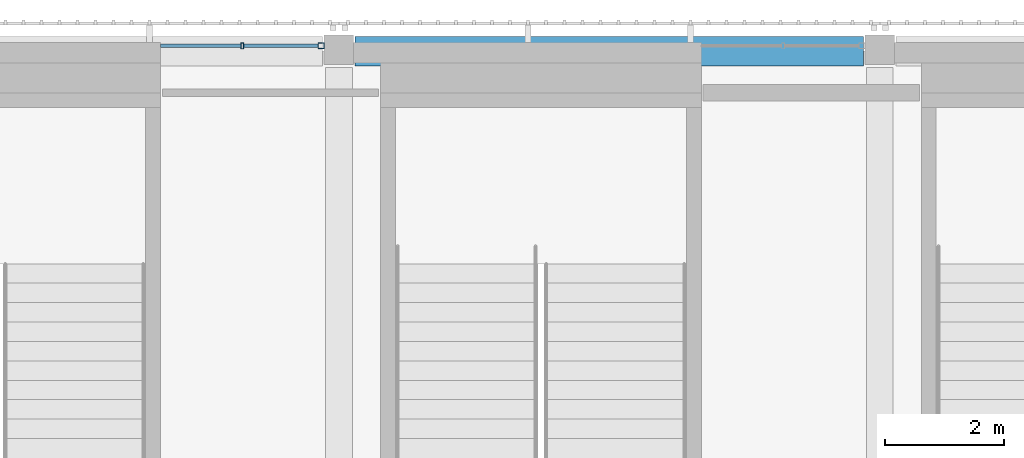
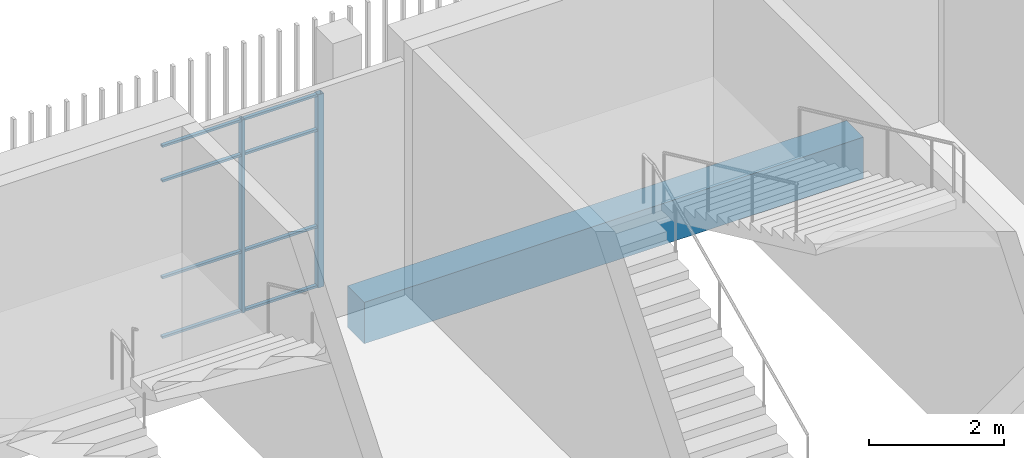
# One storey, part 21 of 104: 10 members, 1 beam, 1 element without a shape of its own.
"""IFC4 building model written with IfcOpenShell, lengths in metres."""

from ifc_helpers import new_model, si_unit, direction, frame, origin, origin_2d, place, context, subcontext, project, spatial, rectangle, hollow_rectangle, extrude, material, layer, layer_set, material_profile, profile_set, type_object, element, aggregate, save


model = new_model("IFC4")

# Units and contexts
model_context = context("Model", 3, precision=1e-05, world=origin(), true_north=direction((0.0, 1.0)))
body_context = subcontext(model_context, "Body", "Model", "MODEL_VIEW")
ifc_project = project(units=[si_unit("LENGTHUNIT", "METRE"), si_unit("AREAUNIT", "SQUARE_METRE"), si_unit("VOLUMEUNIT", "CUBIC_METRE"), si_unit("PLANEANGLEUNIT", "RADIAN"), si_unit("MASSUNIT", "GRAM", prefix="KILO")], contexts=[model_context])

# Site, building, storey
site_placement = place(None, origin())
site = spatial("IfcSite", under=ifc_project, at=site_placement, CompositionType="ELEMENT")
building_placement = place(site_placement, origin())
building = spatial("IfcBuilding", under=site, at=building_placement, Name="Shirokan Park Arena", CompositionType="ELEMENT")
storey_placement = place(building_placement, frame((0.0, 0.0, 10.919921875)))
storey = spatial("IfcBuildingStorey", under=building, at=storey_placement, Name="L02", CompositionType="ELEMENT", Elevation=10.919921875)

# Curtain wall, members
ifc_material_1 = material(Name="Steel and glass curtain wall", Category="steel")
ifc_layer = layer(ifc_material_1, 0.1201171875)
ifc_layer_set = layer_set([ifc_layer], Name="Steel and glass curtain wall 120 mm")
curtain_wall_type = type_object("IfcCurtainWallType", Name="Curtain wall corner block side bay 120", PredefinedType="NOTDEFINED", material=ifc_layer_set)
curtain_wall_placement = place(storey_placement, origin())
curtain_wall = element("IfcCurtainWall", 1, at=curtain_wall_placement, inside=storey, type_object=curtain_wall_type, Name="Curtain wall north bay 15 L02", PredefinedType="NOTDEFINED")
ifc_material_2 = material(Name="Steel S355", Category="steel")
ifc_material_profile_1 = material_profile(ifc_material_2, hollow_rectangle(XDim=0.10009765625, YDim=0.10009765625, WallThickness=0.006103515625, at=origin_2d()), Name="RHS 100x100x6")
ifc_profile_set_1 = profile_set([ifc_material_profile_1], Name="Steel S355")
member_type_1 = type_object("IfcMemberType", Name="Mullion RHS 100x100x6", PredefinedType="MULLION", material=ifc_profile_set_1)
member_1_placement = place(storey_placement, frame((17.89990234375, 109.2900390625, 0.0), z_axis=(0.0, 0.0, 1.0), x_axis=(0.0, -1.0, 0.0)))
member_1 = element("IfcMember", 2, at=member_1_placement, type_object=member_type_1, Name="CW3 mullion 1", PredefinedType="MULLION", context=body_context, shape_type="SweptSolid", body=[
    extrude(hollow_rectangle(XDim=0.10009765625, YDim=0.10009765625, WallThickness=0.006103515625, at=origin_2d()), origin(), (0.0, 0.0, 1.0), 3.5),
])
ifc_material_profile_2 = material_profile(ifc_material_2, hollow_rectangle(XDim=0.10009765625, YDim=0.050048828125, WallThickness=0.0048828125, at=origin_2d()), Name="RHS 100x50x5")
ifc_profile_set_2 = profile_set([ifc_material_profile_2], Name="Steel S355")
member_type_2 = type_object("IfcMemberType", Name="Mullion RHS 100x50x5", PredefinedType="MULLION", material=ifc_profile_set_2)
member_2_placement = place(storey_placement, frame((16.574951171875, 109.2900390625, 0.0), z_axis=(0.0, 0.0, 1.0), x_axis=(0.0, -1.0, 0.0)))
member_2 = element("IfcMember", 3, at=member_2_placement, type_object=member_type_2, Name="CW3 mullion 2", PredefinedType="MULLION", context=body_context, shape_type="SweptSolid", body=[
    extrude(hollow_rectangle(XDim=0.10009765625, YDim=0.050048828125, WallThickness=0.0048828125, at=origin_2d()), origin(), (0.0, 0.0, 1.0), 3.5),
])

# Beam
ifc_material_3 = material(Name="Concrete C35", Category="concrete")
ifc_material_profile_3 = material_profile(ifc_material_3, rectangle(XDim=0.5, YDim=0.75, at=origin_2d()), Name="500x750")
ifc_profile_set_3 = profile_set([ifc_material_profile_3], Name="Concrete C35")
beam_type = type_object("IfcBeamType", Name="RC girder 500x750", PredefinedType="BEAM", material=ifc_profile_set_3)
beam_placement = place(storey_placement, frame((18.47509765625, 109.199951171875, -0.6748046875), z_axis=(1.0, 0.0, 0.0), x_axis=(0.0, 1.0, 0.0)))
element("IfcBeam", 4, at=beam_placement, inside=storey, type_object=beam_type, Name="Girder 3N-4N L02", PredefinedType="BEAM", context=body_context, shape_type="SweptSolid", body=[
    extrude(rectangle(XDim=0.5, YDim=0.75, at=origin_2d()), origin(), (0.0, 0.0, 1.0), 8.5498046875),
])

# Member
ifc_material_profile_4 = material_profile(ifc_material_2, hollow_rectangle(XDim=0.06005859375, YDim=0.0400390625, WallThickness=0.00390625, at=origin_2d()), Name="RHS 60x40x4")
ifc_profile_set_4 = profile_set([ifc_material_profile_4], Name="Steel S355")
member_type_3 = type_object("IfcMemberType", Name="Transom RHS 60x40x4", PredefinedType="MULLION", material=ifc_profile_set_4)
member_3_placement = place(storey_placement, frame((17.85009765625, 109.2900390625, 0.02001953125), z_axis=(-1.0, 0.0, 0.0), x_axis=(0.0, -1.0, 0.0)))
member_3 = element("IfcMember", 5, at=member_3_placement, type_object=member_type_3, Name="CW3 transom 1.1", PredefinedType="MULLION", context=body_context, shape_type="SweptSolid", body=[
    extrude(hollow_rectangle(XDim=0.06005859375, YDim=0.0400390625, WallThickness=0.00390625, at=origin_2d()), origin(), (0.0, 0.0, 1.0), 1.25),
])

member_4_placement = place(storey_placement, frame((17.85009765625, 109.2900390625, 1.10009765625), z_axis=(-1.0, 0.0, 0.0), x_axis=(0.0, -1.0, 0.0)))
member_4 = element("IfcMember", 6, at=member_4_placement, type_object=member_type_3, Name="CW3 transom 1.2", PredefinedType="MULLION", context=body_context, shape_type="SweptSolid", body=[
    extrude(hollow_rectangle(XDim=0.06005859375, YDim=0.0400390625, WallThickness=0.00390625, at=origin_2d()), origin(), (0.0, 0.0, 1.0), 1.25),
])

member_5_placement = place(storey_placement, frame((17.85009765625, 109.2900390625, 2.85009765625), z_axis=(-1.0, 0.0, 0.0), x_axis=(0.0, -1.0, 0.0)))
member_5 = element("IfcMember", 7, at=member_5_placement, type_object=member_type_3, Name="CW3 transom 1.3", PredefinedType="MULLION", context=body_context, shape_type="SweptSolid", body=[
    extrude(hollow_rectangle(XDim=0.06005859375, YDim=0.0400390625, WallThickness=0.00390625, at=origin_2d()), origin(), (0.0, 0.0, 1.0), 1.25),
])

member_6_placement = place(storey_placement, frame((17.85009765625, 109.2900390625, 3.47998046875), z_axis=(-1.0, 0.0, 0.0), x_axis=(0.0, -1.0, 0.0)))
member_6 = element("IfcMember", 8, at=member_6_placement, type_object=member_type_3, Name="CW3 transom 1.4", PredefinedType="MULLION", context=body_context, shape_type="SweptSolid", body=[
    extrude(hollow_rectangle(XDim=0.06005859375, YDim=0.0400390625, WallThickness=0.00390625, at=origin_2d()), origin(), (0.0, 0.0, 1.0), 1.25),
])

member_7_placement = place(storey_placement, frame((16.550048828125, 109.2900390625, 0.02001953125), z_axis=(-1.0, 0.0, 0.0), x_axis=(0.0, -1.0, 0.0)))
member_7 = element("IfcMember", 9, at=member_7_placement, type_object=member_type_3, Name="CW3 transom 2.1", PredefinedType="MULLION", context=body_context, shape_type="SweptSolid", body=[
    extrude(hollow_rectangle(XDim=0.06005859375, YDim=0.0400390625, WallThickness=0.00390625, at=origin_2d()), origin(), (0.0, 0.0, 1.0), 1.35009765625),
])

member_8_placement = place(storey_placement, frame((16.550048828125, 109.2900390625, 1.10009765625), z_axis=(-1.0, 0.0, 0.0), x_axis=(0.0, -1.0, 0.0)))
member_8 = element("IfcMember", 10, at=member_8_placement, type_object=member_type_3, Name="CW3 transom 2.2", PredefinedType="MULLION", context=body_context, shape_type="SweptSolid", body=[
    extrude(hollow_rectangle(XDim=0.06005859375, YDim=0.0400390625, WallThickness=0.00390625, at=origin_2d()), origin(), (0.0, 0.0, 1.0), 1.35009765625),
])

member_9_placement = place(storey_placement, frame((16.550048828125, 109.2900390625, 2.85009765625), z_axis=(-1.0, 0.0, 0.0), x_axis=(0.0, -1.0, 0.0)))
member_9 = element("IfcMember", 11, at=member_9_placement, type_object=member_type_3, Name="CW3 transom 2.3", PredefinedType="MULLION", context=body_context, shape_type="SweptSolid", body=[
    extrude(hollow_rectangle(XDim=0.06005859375, YDim=0.0400390625, WallThickness=0.00390625, at=origin_2d()), origin(), (0.0, 0.0, 1.0), 1.35009765625),
])

member_10_placement = place(storey_placement, frame((16.550048828125, 109.2900390625, 3.47998046875), z_axis=(-1.0, 0.0, 0.0), x_axis=(0.0, -1.0, 0.0)))
member_10 = element("IfcMember", 12, at=member_10_placement, type_object=member_type_3, Name="CW3 transom 2.4", PredefinedType="MULLION", context=body_context, shape_type="SweptSolid", body=[
    extrude(hollow_rectangle(XDim=0.06005859375, YDim=0.0400390625, WallThickness=0.00390625, at=origin_2d()), origin(), (0.0, 0.0, 1.0), 1.35009765625),
])

aggregate(curtain_wall, [member_1, member_2, member_3, member_4, member_5, member_6, member_7, member_8, member_9, member_10])

save(model, "model.ifc")
